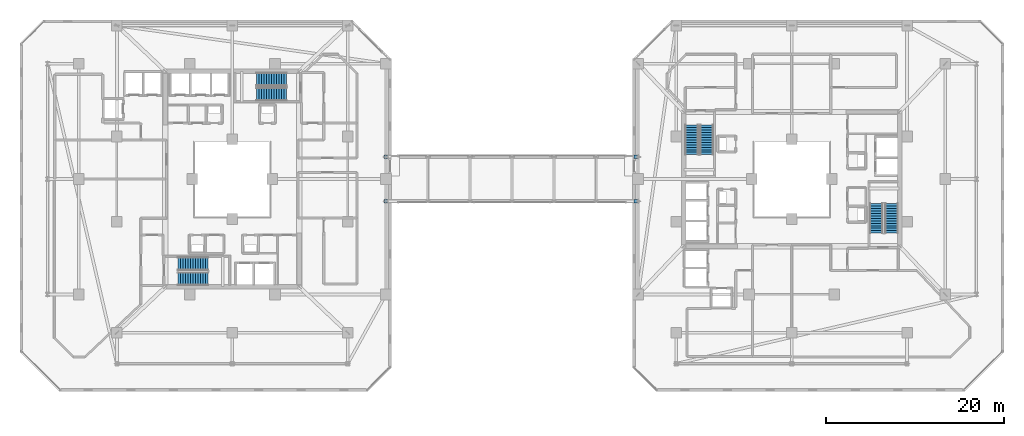
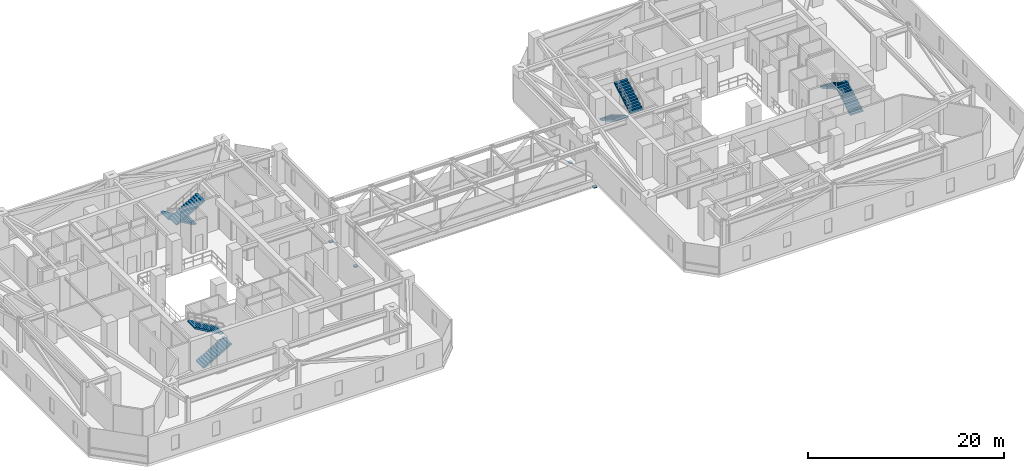
# One storey, part 43 of 45: 8 stair flights, 4 discrete accessories, 4 elements without a shape of their own.
"""IFC4 building model written with IfcOpenShell, lengths in metres."""

from ifc_helpers import new_model, si_unit, direction, frame, origin, origin_2d, place, context, subcontext, project, spatial, polyline, rectangle, outline, extrude, material, type_object, element, aggregate, save


model = new_model("IFC4")

# Units and contexts
model_context = context("Model", 3, precision=1e-05, world=origin(), true_north=direction((0.0, 1.0)))
body_context = subcontext(model_context, "Body", "Model", "MODEL_VIEW")
ifc_project = project(units=[si_unit("LENGTHUNIT", "METRE"), si_unit("AREAUNIT", "SQUARE_METRE"), si_unit("VOLUMEUNIT", "CUBIC_METRE"), si_unit("PLANEANGLEUNIT", "RADIAN"), si_unit("MASSUNIT", "GRAM", prefix="KILO")], contexts=[model_context])

# Site, building, storey
site_placement = place(None, origin())
site = spatial("IfcSite", under=ifc_project, at=site_placement, CompositionType="ELEMENT")
building_placement = place(site_placement, origin())
building = spatial("IfcBuilding", under=site, at=building_placement, Name="Thornwick Lancets Civic Towers", CompositionType="ELEMENT")
storey_placement = place(building_placement, frame((0.0, 0.0, 141.300048828125)))
storey = spatial("IfcBuildingStorey", under=building, at=storey_placement, Name="L37", CompositionType="ELEMENT", Elevation=141.300048828125)

# Stair, stair flights
ifc_material_1 = material(Name="Concrete C40/50", Category="concrete")
stair_type = type_object("IfcStairType", Name="STAIR_DL_4200", PredefinedType="HALF_TURN_STAIR", material=ifc_material_1)
stair_1_placement = place(storey_placement, origin())
stair_1 = element("IfcStair", 1, at=stair_1_placement, inside=storey, type_object=stair_type, Name="L37 Tower A South Exit Stair ST-A1", PredefinedType="HALF_TURN_STAIR")
stair_flight_type = type_object("IfcStairFlightType", Name="FLIGHT_4200", PredefinedType="STRAIGHT", material=ifc_material_1)
stair_flight_1_placement = place(storey_placement, frame((19.39990234375, 15.75, 0.0), z_axis=(0.0, 0.0, 1.0), x_axis=(1.0, 0.0, 0.0)))
stair_flight_1 = element("IfcStairFlight", 2, at=stair_flight_1_placement, type_object=stair_flight_type, Name="ST-A1 flight 1", NumberOfRisers=13, NumberOfTreads=12, PredefinedType="STRAIGHT", RiserHeight=0.161538462, TreadLength=0.28, context=body_context, shape_type="SweptSolid", body=[
    extrude(outline(polyline([(0.0, 0.0), (0.0, 0.16162109375), (0.280029296875, 0.16162109375), (0.280029296875, 0.322998046875), (0.56005859375, 0.322998046875), (0.56005859375, 0.484619140625), (0.840087890625, 0.484619140625), (0.840087890625, 0.646240234375), (1.1201171875, 0.646240234375), (1.1201171875, 0.8076171875), (1.39990234375, 0.8076171875), (1.39990234375, 0.96923828125), (1.679931640625, 0.96923828125), (1.679931640625, 1.130859375), (1.9599609375, 1.130859375), (1.9599609375, 1.292236328125), (2.239990234375, 1.292236328125), (2.239990234375, 1.453857421875), (2.52001953125, 1.453857421875), (2.52001953125, 1.615478515625), (2.800048828125, 1.615478515625), (2.800048828125, 1.77685546875), (3.080078125, 1.77685546875), (3.080078125, 1.9384765625), (3.360107421875, 1.9384765625), (3.360107421875, 2.10009765625), (3.360107421875, 1.765380859375), (0.300048828125, 0.0), (0.0, 0.0)])), frame((0.0, 0.75, 0.0), z_axis=(0.0, -1.0, 0.0), x_axis=(1.0, 0.0, 0.0)), (0.0, 0.0, 1.0), 1.5),
])
stair_flight_2_placement = place(storey_placement, frame((22.760009765625, 17.449951171875, 2.099853515625), z_axis=(0.0, 0.0, 1.0), x_axis=(-1.0, 0.0, 0.0)))
stair_flight_2 = element("IfcStairFlight", 3, at=stair_flight_2_placement, type_object=stair_flight_type, Name="ST-A1 flight 2", NumberOfRisers=13, NumberOfTreads=12, PredefinedType="STRAIGHT", RiserHeight=0.161538462, TreadLength=0.28, context=body_context, shape_type="SweptSolid", body=[
    extrude(outline(polyline([(0.0, 0.0), (0.0, 0.16162109375), (0.280029296875, 0.16162109375), (0.280029296875, 0.322998046875), (0.56005859375, 0.322998046875), (0.56005859375, 0.484619140625), (0.840087890625, 0.484619140625), (0.840087890625, 0.646240234375), (1.1201171875, 0.646240234375), (1.1201171875, 0.8076171875), (1.39990234375, 0.8076171875), (1.39990234375, 0.96923828125), (1.679931640625, 0.96923828125), (1.679931640625, 1.130859375), (1.9599609375, 1.130859375), (1.9599609375, 1.292236328125), (2.239990234375, 1.292236328125), (2.239990234375, 1.453857421875), (2.52001953125, 1.453857421875), (2.52001953125, 1.615478515625), (2.800048828125, 1.615478515625), (2.800048828125, 1.77685546875), (3.080078125, 1.77685546875), (3.080078125, 1.9384765625), (3.360107421875, 1.9384765625), (3.360107421875, 2.10009765625), (3.360107421875, 1.765380859375), (0.300048828125, 0.0), (0.0, 0.0)])), frame((0.0, 0.75, 0.0), z_axis=(0.0, -1.0, 0.0), x_axis=(1.0, 0.0, 0.0)), (0.0, 0.0, 1.0), 1.5),
])
aggregate(stair_1, [stair_flight_1, stair_flight_2])

stair_2_placement = place(storey_placement, origin())
stair_2 = element("IfcStair", 4, at=stair_2_placement, inside=storey, type_object=stair_type, Name="L37 Tower A North Exit Stair ST-A2", PredefinedType="HALF_TURN_STAIR")
stair_flight_3_placement = place(storey_placement, frame((31.60009765625, 38.25, 0.0), z_axis=(0.0, 0.0, 1.0), x_axis=(-1.0, 0.0, 0.0)))
stair_flight_3 = element("IfcStairFlight", 5, at=stair_flight_3_placement, type_object=stair_flight_type, Name="ST-A2 flight 1", NumberOfRisers=13, NumberOfTreads=12, PredefinedType="STRAIGHT", RiserHeight=0.161538462, TreadLength=0.28, context=body_context, shape_type="SweptSolid", body=[
    extrude(outline(polyline([(0.0, 0.0), (0.0, 0.16162109375), (0.280029296875, 0.16162109375), (0.280029296875, 0.322998046875), (0.56005859375, 0.322998046875), (0.56005859375, 0.484619140625), (0.840087890625, 0.484619140625), (0.840087890625, 0.646240234375), (1.1201171875, 0.646240234375), (1.1201171875, 0.8076171875), (1.39990234375, 0.8076171875), (1.39990234375, 0.96923828125), (1.679931640625, 0.96923828125), (1.679931640625, 1.130859375), (1.9599609375, 1.130859375), (1.9599609375, 1.292236328125), (2.239990234375, 1.292236328125), (2.239990234375, 1.453857421875), (2.52001953125, 1.453857421875), (2.52001953125, 1.615478515625), (2.800048828125, 1.615478515625), (2.800048828125, 1.77685546875), (3.080078125, 1.77685546875), (3.080078125, 1.9384765625), (3.360107421875, 1.9384765625), (3.360107421875, 2.10009765625), (3.360107421875, 1.765380859375), (0.300048828125, 0.0), (0.0, 0.0)])), frame((0.0, 0.75, 0.0), z_axis=(0.0, -1.0, 0.0), x_axis=(1.0, 0.0, 0.0)), (0.0, 0.0, 1.0), 1.5),
])
stair_flight_4_placement = place(storey_placement, frame((28.239990234375, 36.550048828125, 2.099853515625), z_axis=(0.0, 0.0, 1.0), x_axis=(1.0, 0.0, 0.0)))
stair_flight_4 = element("IfcStairFlight", 6, at=stair_flight_4_placement, type_object=stair_flight_type, Name="ST-A2 flight 2", NumberOfRisers=13, NumberOfTreads=12, PredefinedType="STRAIGHT", RiserHeight=0.161538462, TreadLength=0.28, context=body_context, shape_type="SweptSolid", body=[
    extrude(outline(polyline([(0.0, 0.0), (0.0, 0.16162109375), (0.280029296875, 0.16162109375), (0.280029296875, 0.322998046875), (0.56005859375, 0.322998046875), (0.56005859375, 0.484619140625), (0.840087890625, 0.484619140625), (0.840087890625, 0.646240234375), (1.1201171875, 0.646240234375), (1.1201171875, 0.8076171875), (1.39990234375, 0.8076171875), (1.39990234375, 0.96923828125), (1.679931640625, 0.96923828125), (1.679931640625, 1.130859375), (1.9599609375, 1.130859375), (1.9599609375, 1.292236328125), (2.239990234375, 1.292236328125), (2.239990234375, 1.453857421875), (2.52001953125, 1.453857421875), (2.52001953125, 1.615478515625), (2.800048828125, 1.615478515625), (2.800048828125, 1.77685546875), (3.080078125, 1.77685546875), (3.080078125, 1.9384765625), (3.360107421875, 1.9384765625), (3.360107421875, 2.10009765625), (3.360107421875, 1.765380859375), (0.300048828125, 0.0), (0.0, 0.0)])), frame((0.0, 0.75, 0.0), z_axis=(0.0, -1.0, 0.0), x_axis=(1.0, 0.0, 0.0)), (0.0, 0.0, 1.0), 1.5),
])
aggregate(stair_2, [stair_flight_3, stair_flight_4])

stair_3_placement = place(storey_placement, origin())
stair_3 = element("IfcStair", 7, at=stair_3_placement, inside=storey, type_object=stair_type, Name="L37 Tower B East Exit Stair ST-B1", PredefinedType="HALF_TURN_STAIR")
stair_flight_5_placement = place(storey_placement, frame((99.75, 20.89990234375, 0.0), z_axis=(0.0, 0.0, 1.0), x_axis=(0.0, 1.0, 0.0)))
stair_flight_5 = element("IfcStairFlight", 8, at=stair_flight_5_placement, type_object=stair_flight_type, Name="ST-B1 flight 1", NumberOfRisers=13, NumberOfTreads=12, PredefinedType="STRAIGHT", RiserHeight=0.161538462, TreadLength=0.28, context=body_context, shape_type="SweptSolid", body=[
    extrude(outline(polyline([(0.0, 0.0), (0.0, 0.16162109375), (0.280029296875, 0.16162109375), (0.280029296875, 0.322998046875), (0.56005859375, 0.322998046875), (0.56005859375, 0.484619140625), (0.840087890625, 0.484619140625), (0.840087890625, 0.646240234375), (1.1201171875, 0.646240234375), (1.1201171875, 0.8076171875), (1.39990234375, 0.8076171875), (1.39990234375, 0.96923828125), (1.679931640625, 0.96923828125), (1.679931640625, 1.130859375), (1.9599609375, 1.130859375), (1.9599609375, 1.292236328125), (2.239990234375, 1.292236328125), (2.239990234375, 1.453857421875), (2.52001953125, 1.453857421875), (2.52001953125, 1.615478515625), (2.800048828125, 1.615478515625), (2.800048828125, 1.77685546875), (3.080078125, 1.77685546875), (3.080078125, 1.9384765625), (3.360107421875, 1.9384765625), (3.360107421875, 2.10009765625), (3.360107421875, 1.765380859375), (0.300048828125, 0.0), (0.0, 0.0)])), frame((0.0, 0.75, 0.0), z_axis=(0.0, -1.0, 0.0), x_axis=(1.0, 0.0, 0.0)), (0.0, 0.0, 1.0), 1.5),
])
stair_flight_6_placement = place(storey_placement, frame((98.050048828125, 24.260009765625, 2.099853515625), z_axis=(0.0, 0.0, 1.0), x_axis=(0.0, -1.0, 0.0)))
stair_flight_6 = element("IfcStairFlight", 9, at=stair_flight_6_placement, type_object=stair_flight_type, Name="ST-B1 flight 2", NumberOfRisers=13, NumberOfTreads=12, PredefinedType="STRAIGHT", RiserHeight=0.161538462, TreadLength=0.28, context=body_context, shape_type="SweptSolid", body=[
    extrude(outline(polyline([(0.0, 0.0), (0.0, 0.16162109375), (0.280029296875, 0.16162109375), (0.280029296875, 0.322998046875), (0.56005859375, 0.322998046875), (0.56005859375, 0.484619140625), (0.840087890625, 0.484619140625), (0.840087890625, 0.646240234375), (1.1201171875, 0.646240234375), (1.1201171875, 0.8076171875), (1.39990234375, 0.8076171875), (1.39990234375, 0.96923828125), (1.679931640625, 0.96923828125), (1.679931640625, 1.130859375), (1.9599609375, 1.130859375), (1.9599609375, 1.292236328125), (2.239990234375, 1.292236328125), (2.239990234375, 1.453857421875), (2.52001953125, 1.453857421875), (2.52001953125, 1.615478515625), (2.800048828125, 1.615478515625), (2.800048828125, 1.77685546875), (3.080078125, 1.77685546875), (3.080078125, 1.9384765625), (3.360107421875, 1.9384765625), (3.360107421875, 2.10009765625), (3.360107421875, 1.765380859375), (0.300048828125, 0.0), (0.0, 0.0)])), frame((0.0, 0.75, 0.0), z_axis=(0.0, -1.0, 0.0), x_axis=(1.0, 0.0, 0.0)), (0.0, 0.0, 1.0), 1.5),
])
aggregate(stair_3, [stair_flight_5, stair_flight_6])

stair_4_placement = place(storey_placement, origin())
stair_4 = element("IfcStair", 10, at=stair_4_placement, inside=storey, type_object=stair_type, Name="L37 Tower B West Exit Stair ST-B2", PredefinedType="HALF_TURN_STAIR")
stair_flight_7_placement = place(storey_placement, frame((77.25, 33.10009765625, 0.0), z_axis=(0.0, 0.0, 1.0), x_axis=(0.0, -1.0, 0.0)))
stair_flight_7 = element("IfcStairFlight", 11, at=stair_flight_7_placement, type_object=stair_flight_type, Name="ST-B2 flight 1", NumberOfRisers=13, NumberOfTreads=12, PredefinedType="STRAIGHT", RiserHeight=0.161538462, TreadLength=0.28, context=body_context, shape_type="SweptSolid", body=[
    extrude(outline(polyline([(0.0, 0.0), (0.0, 0.16162109375), (0.280029296875, 0.16162109375), (0.280029296875, 0.322998046875), (0.56005859375, 0.322998046875), (0.56005859375, 0.484619140625), (0.840087890625, 0.484619140625), (0.840087890625, 0.646240234375), (1.1201171875, 0.646240234375), (1.1201171875, 0.8076171875), (1.39990234375, 0.8076171875), (1.39990234375, 0.96923828125), (1.679931640625, 0.96923828125), (1.679931640625, 1.130859375), (1.9599609375, 1.130859375), (1.9599609375, 1.292236328125), (2.239990234375, 1.292236328125), (2.239990234375, 1.453857421875), (2.52001953125, 1.453857421875), (2.52001953125, 1.615478515625), (2.800048828125, 1.615478515625), (2.800048828125, 1.77685546875), (3.080078125, 1.77685546875), (3.080078125, 1.9384765625), (3.360107421875, 1.9384765625), (3.360107421875, 2.10009765625), (3.360107421875, 1.765380859375), (0.300048828125, 0.0), (0.0, 0.0)])), frame((0.0, 0.75, 0.0), z_axis=(0.0, -1.0, 0.0), x_axis=(1.0, 0.0, 0.0)), (0.0, 0.0, 1.0), 1.5),
])
stair_flight_8_placement = place(storey_placement, frame((78.949951171875, 29.739990234375, 2.099853515625), z_axis=(0.0, 0.0, 1.0), x_axis=(0.0, 1.0, 0.0)))
stair_flight_8 = element("IfcStairFlight", 12, at=stair_flight_8_placement, type_object=stair_flight_type, Name="ST-B2 flight 2", NumberOfRisers=13, NumberOfTreads=12, PredefinedType="STRAIGHT", RiserHeight=0.161538462, TreadLength=0.28, context=body_context, shape_type="SweptSolid", body=[
    extrude(outline(polyline([(0.0, 0.0), (0.0, 0.16162109375), (0.280029296875, 0.16162109375), (0.280029296875, 0.322998046875), (0.56005859375, 0.322998046875), (0.56005859375, 0.484619140625), (0.840087890625, 0.484619140625), (0.840087890625, 0.646240234375), (1.1201171875, 0.646240234375), (1.1201171875, 0.8076171875), (1.39990234375, 0.8076171875), (1.39990234375, 0.96923828125), (1.679931640625, 0.96923828125), (1.679931640625, 1.130859375), (1.9599609375, 1.130859375), (1.9599609375, 1.292236328125), (2.239990234375, 1.292236328125), (2.239990234375, 1.453857421875), (2.52001953125, 1.453857421875), (2.52001953125, 1.615478515625), (2.800048828125, 1.615478515625), (2.800048828125, 1.77685546875), (3.080078125, 1.77685546875), (3.080078125, 1.9384765625), (3.360107421875, 1.9384765625), (3.360107421875, 2.10009765625), (3.360107421875, 1.765380859375), (0.300048828125, 0.0), (0.0, 0.0)])), frame((0.0, 0.75, 0.0), z_axis=(0.0, -1.0, 0.0), x_axis=(1.0, 0.0, 0.0)), (0.0, 0.0, 1.0), 1.5),
])
aggregate(stair_4, [stair_flight_7, stair_flight_8])

# Discrete accessories
ifc_material_2 = material(Name="Steel S460M", Category="steel")
discrete_accessory_type_1 = type_object("IfcDiscreteAccessoryType", Name="ACC_PIN_BEARING", PredefinedType="USERDEFINED", material=ifc_material_2)
for number, where, z_axis, x_axis, name in (
    (13, (42.800048828125, 24.5, -1.260986328125), (0.0, 0.0, 1.0), (1.0, 0.0, 0.0), "L37 Skybridge Pinned Bearing A1"),
    (14, (42.800048828125, 29.5, -1.260986328125), (0.0, 0.0, 1.0), (1.0, 0.0, 0.0), "L37 Skybridge Pinned Bearing A2"),
):
    element("IfcDiscreteAccessory", number, at=place(storey_placement, frame(where, z_axis=z_axis, x_axis=x_axis)), inside=storey, type_object=discrete_accessory_type_1, Name=name, ObjectType="PINNED_BEARING", PredefinedType="USERDEFINED", context=body_context, shape_type="SweptSolid", body=[
        extrude(rectangle(XDim=0.39990234375, YDim=0.39990234375, at=origin_2d()), origin(), (0.0, 0.0, 1.0), 0.1201171875),
    ])
discrete_accessory_type_2 = type_object("IfcDiscreteAccessoryType", Name="ACC_SLIDE_BEARING", PredefinedType="USERDEFINED", material=ifc_material_2)
for number, where, z_axis, x_axis, name in (
    (15, (70.949951171875, 24.5, -1.260986328125), (0.0, 0.0, 1.0), (1.0, 0.0, 0.0), "L37 Skybridge Sliding Bearing B1"),
    (16, (70.949951171875, 29.5, -1.260986328125), (0.0, 0.0, 1.0), (1.0, 0.0, 0.0), "L37 Skybridge Sliding Bearing B2"),
):
    element("IfcDiscreteAccessory", number, at=place(storey_placement, frame(where, z_axis=z_axis, x_axis=x_axis)), inside=storey, type_object=discrete_accessory_type_2, Name=name, ObjectType="SLIDING_BEARING", PredefinedType="USERDEFINED", context=body_context, shape_type="SweptSolid", body=[
        extrude(rectangle(XDim=0.39990234375, YDim=0.39990234375, at=origin_2d()), origin(), (0.0, 0.0, 1.0), 0.1201171875),
    ])

save(model, "model.ifc")
